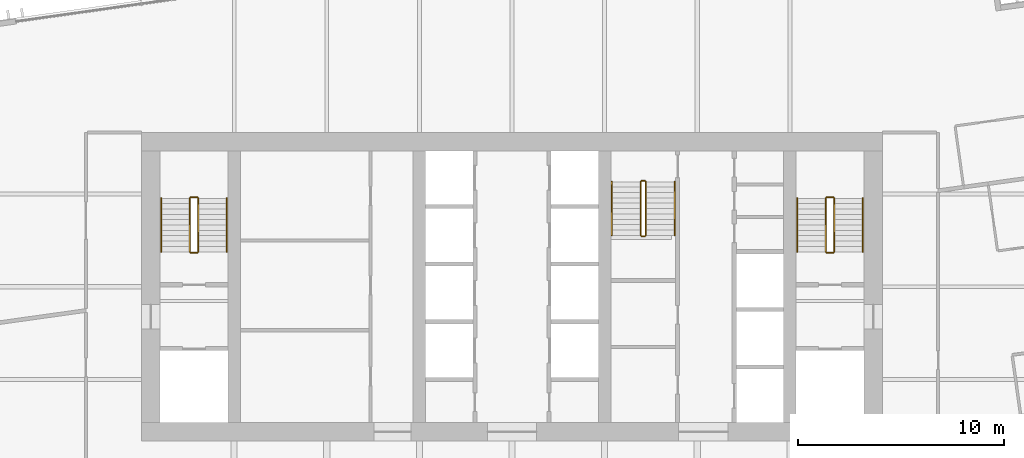
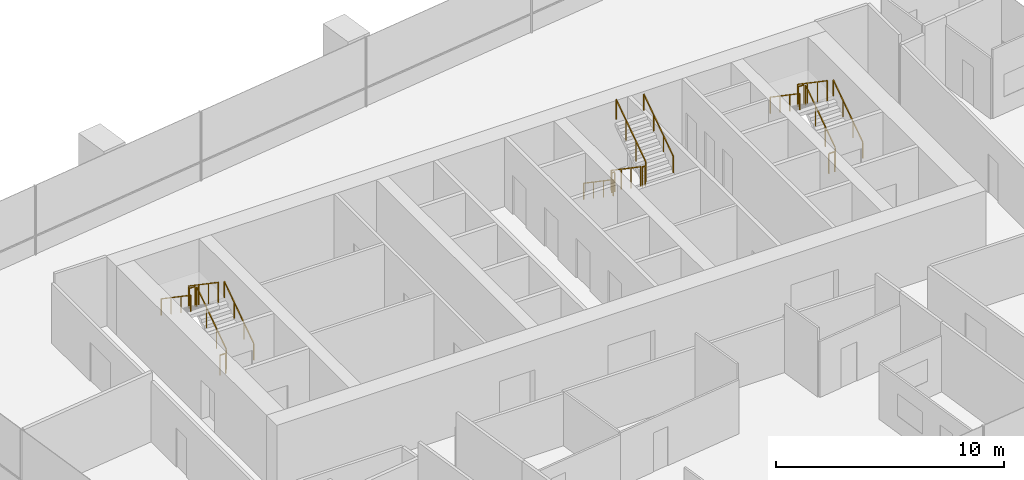
# One storey, part 14 of 14: 18 railings.
"""IFC4 building model written with IfcOpenShell, lengths in metres."""

from ifc_helpers import new_model, si_unit, direction, frame, origin, origin_2d, place, context, subcontext, project, spatial, rectangle, extrude, material, type_object, element, save


model = new_model("IFC4")

# Units and contexts
model_context = context("Model", 3, precision=1e-05, world=origin(), true_north=direction((0.0, 1.0)))
body_context = subcontext(model_context, "Body", "Model", "MODEL_VIEW")
ifc_project = project(units=[si_unit("LENGTHUNIT", "METRE"), si_unit("AREAUNIT", "SQUARE_METRE"), si_unit("VOLUMEUNIT", "CUBIC_METRE"), si_unit("PLANEANGLEUNIT", "RADIAN"), si_unit("MASSUNIT", "GRAM", prefix="KILO")], contexts=[model_context])

# Site, building, storey
site_placement = place(None, origin())
site = spatial("IfcSite", under=ifc_project, at=site_placement, CompositionType="ELEMENT")
building_placement = place(site_placement, origin())
building = spatial("IfcBuilding", under=site, at=building_placement, Name="Rattan Terrace Tower", CompositionType="ELEMENT")
storey_placement = place(building_placement, frame((0.0, 0.0, 184.10009765625)))
storey = spatial("IfcBuildingStorey", under=building, at=storey_placement, Name="L42", CompositionType="ELEMENT", Elevation=184.10009765625)

# Railings
ifc_material_1 = material(Name="Powder-coated steel guard", Category="steel")
railing_type_1 = type_object("IfcRailingType", Name="Core stair guard", PredefinedType="GUARDRAIL", material=ifc_material_1)
railing_1_placement = place(storey_placement, frame((-15.25, 1.699951171875, 0.17724609375)))
element("IfcRailing", 1, at=railing_1_placement, inside=storey, type_object=railing_type_1, Name="L42 S1 stair guard 1", PredefinedType="GUARDRAIL", context=body_context, shape_type="SweptSolid", body=[
    extrude(rectangle(XDim=0.048095703125, YDim=0.048095703125, at=origin_2d()), frame((0.0, 0.0, 1.076171875), z_axis=(0.0, 0.826240473404, 0.563317565952), x_axis=(-1.0, 0.0, 0.0)), (0.0, 0.0, 1.0), 3.14697265625),
    extrude(rectangle(XDim=0.0419921875, YDim=0.0419921875, at=origin_2d()), origin(), (0.0, 0.0, 1.0), 1.052001953125),
    extrude(rectangle(XDim=0.0419921875, YDim=0.0419921875, at=origin_2d()), frame((0.0, 0.86669921875, 0.5908203125)), (0.0, 0.0, 1.0), 1.052001953125),
    extrude(rectangle(XDim=0.0419921875, YDim=0.0419921875, at=origin_2d()), frame((0.0, 1.7333984375, 1.181884765625)), (0.0, 0.0, 1.0), 1.052001953125),
    extrude(rectangle(XDim=0.0419921875, YDim=0.0419921875, at=origin_2d()), frame((0.0, 2.60009765625, 1.772705078125)), (0.0, 0.0, 1.0), 1.052001953125),
])
railing_2_placement = place(storey_placement, frame((-15.300048828125, 4.35009765625, 1.949951171875)))
element("IfcRailing", 2, at=railing_2_placement, inside=storey, type_object=railing_type_1, Name="L42 S1 stair guard 2", PredefinedType="GUARDRAIL", context=body_context, shape_type="SweptSolid", body=[
    extrude(rectangle(XDim=0.048095703125, YDim=0.048095703125, at=origin_2d()), frame((0.0, 0.0, 1.076171875), z_axis=(-1.0, 0.0, 0.0), x_axis=(0.0, -1.0, 0.0)), (0.0, 0.0, 1.0), 0.300048828125),
    extrude(rectangle(XDim=0.0419921875, YDim=0.0419921875, at=origin_2d()), origin(), (0.0, 0.0, 1.0), 1.052001953125),
    extrude(rectangle(XDim=0.0419921875, YDim=0.0419921875, at=origin_2d()), frame((-0.300048828125, 0.0, 0.0)), (0.0, 0.0, 1.0), 1.052001953125),
])
railing_3_placement = place(storey_placement, frame((-15.64990234375, 4.300048828125, 2.127197265625)))
element("IfcRailing", 3, at=railing_3_placement, inside=storey, type_object=railing_type_1, Name="L42 S1 stair guard 3", PredefinedType="GUARDRAIL", context=body_context, shape_type="SweptSolid", body=[
    extrude(rectangle(XDim=0.048095703125, YDim=0.048095703125, at=origin_2d()), frame((0.0, 0.0, 1.076171875), z_axis=(0.0, -0.826240473404, 0.563317565952), x_axis=(1.0, 0.0, 0.0)), (0.0, 0.0, 1.0), 3.14697265625),
    extrude(rectangle(XDim=0.0419921875, YDim=0.0419921875, at=origin_2d()), origin(), (0.0, 0.0, 1.0), 1.052001953125),
    extrude(rectangle(XDim=0.0419921875, YDim=0.0419921875, at=origin_2d()), frame((0.0, -0.86669921875, 0.5908203125)), (0.0, 0.0, 1.0), 1.052001953125),
    extrude(rectangle(XDim=0.0419921875, YDim=0.0419921875, at=origin_2d()), frame((0.0, -1.7333984375, 1.181884765625)), (0.0, 0.0, 1.0), 1.052001953125),
    extrude(rectangle(XDim=0.0419921875, YDim=0.0419921875, at=origin_2d()), frame((0.0, -2.60009765625, 1.772705078125)), (0.0, 0.0, 1.0), 1.052001953125),
])
railing_4_placement = place(storey_placement, frame((-15.300048828125, 1.64990234375, 0.0)))
element("IfcRailing", 4, at=railing_4_placement, inside=storey, type_object=railing_type_1, Name="L42 S1 stair guard 4", PredefinedType="GUARDRAIL", context=body_context, shape_type="SweptSolid", body=[
    extrude(rectangle(XDim=0.048095703125, YDim=0.048095703125, at=origin_2d()), frame((0.0, 0.0, 1.076171875), z_axis=(-1.0, 0.0, 0.0), x_axis=(0.0, -1.0, 0.0)), (0.0, 0.0, 1.0), 0.300048828125),
    extrude(rectangle(XDim=0.0419921875, YDim=0.0419921875, at=origin_2d()), origin(), (0.0, 0.0, 1.0), 1.052001953125),
    extrude(rectangle(XDim=0.0419921875, YDim=0.0419921875, at=origin_2d()), frame((-0.300048828125, 0.0, 0.0)), (0.0, 0.0, 1.0), 1.052001953125),
])
railing_5_placement = place(storey_placement, frame((15.64990234375, 1.699951171875, 0.17724609375)))
element("IfcRailing", 5, at=railing_5_placement, inside=storey, type_object=railing_type_1, Name="L42 S2 stair guard 1", PredefinedType="GUARDRAIL", context=body_context, shape_type="SweptSolid", body=[
    extrude(rectangle(XDim=0.048095703125, YDim=0.048095703125, at=origin_2d()), frame((0.0, 0.0, 1.076171875), z_axis=(0.0, 0.826240473404, 0.563317565952), x_axis=(-1.0, 0.0, 0.0)), (0.0, 0.0, 1.0), 3.14697265625),
    extrude(rectangle(XDim=0.0419921875, YDim=0.0419921875, at=origin_2d()), origin(), (0.0, 0.0, 1.0), 1.052001953125),
    extrude(rectangle(XDim=0.0419921875, YDim=0.0419921875, at=origin_2d()), frame((0.0, 0.86669921875, 0.5908203125)), (0.0, 0.0, 1.0), 1.052001953125),
    extrude(rectangle(XDim=0.0419921875, YDim=0.0419921875, at=origin_2d()), frame((0.0, 1.7333984375, 1.181884765625)), (0.0, 0.0, 1.0), 1.052001953125),
    extrude(rectangle(XDim=0.0419921875, YDim=0.0419921875, at=origin_2d()), frame((0.0, 2.60009765625, 1.772705078125)), (0.0, 0.0, 1.0), 1.052001953125),
])
railing_6_placement = place(storey_placement, frame((15.60009765625, 4.35009765625, 1.949951171875)))
element("IfcRailing", 6, at=railing_6_placement, inside=storey, type_object=railing_type_1, Name="L42 S2 stair guard 2", PredefinedType="GUARDRAIL", context=body_context, shape_type="SweptSolid", body=[
    extrude(rectangle(XDim=0.048095703125, YDim=0.048095703125, at=origin_2d()), frame((0.0, 0.0, 1.076171875), z_axis=(-1.0, 0.0, 0.0), x_axis=(0.0, -1.0, 0.0)), (0.0, 0.0, 1.0), 0.300048828125),
    extrude(rectangle(XDim=0.0419921875, YDim=0.0419921875, at=origin_2d()), origin(), (0.0, 0.0, 1.0), 1.052001953125),
    extrude(rectangle(XDim=0.0419921875, YDim=0.0419921875, at=origin_2d()), frame((-0.300048828125, 0.0, 0.0)), (0.0, 0.0, 1.0), 1.052001953125),
])
railing_7_placement = place(storey_placement, frame((15.25, 4.300048828125, 2.127197265625)))
element("IfcRailing", 7, at=railing_7_placement, inside=storey, type_object=railing_type_1, Name="L42 S2 stair guard 3", PredefinedType="GUARDRAIL", context=body_context, shape_type="SweptSolid", body=[
    extrude(rectangle(XDim=0.048095703125, YDim=0.048095703125, at=origin_2d()), frame((0.0, 0.0, 1.076171875), z_axis=(0.0, -0.826240473404, 0.563317565952), x_axis=(1.0, 0.0, 0.0)), (0.0, 0.0, 1.0), 3.14697265625),
    extrude(rectangle(XDim=0.0419921875, YDim=0.0419921875, at=origin_2d()), origin(), (0.0, 0.0, 1.0), 1.052001953125),
    extrude(rectangle(XDim=0.0419921875, YDim=0.0419921875, at=origin_2d()), frame((0.0, -0.86669921875, 0.5908203125)), (0.0, 0.0, 1.0), 1.052001953125),
    extrude(rectangle(XDim=0.0419921875, YDim=0.0419921875, at=origin_2d()), frame((0.0, -1.7333984375, 1.181884765625)), (0.0, 0.0, 1.0), 1.052001953125),
    extrude(rectangle(XDim=0.0419921875, YDim=0.0419921875, at=origin_2d()), frame((0.0, -2.60009765625, 1.772705078125)), (0.0, 0.0, 1.0), 1.052001953125),
])
railing_8_placement = place(storey_placement, frame((15.60009765625, 1.64990234375, 0.0)))
element("IfcRailing", 8, at=railing_8_placement, inside=storey, type_object=railing_type_1, Name="L42 S2 stair guard 4", PredefinedType="GUARDRAIL", context=body_context, shape_type="SweptSolid", body=[
    extrude(rectangle(XDim=0.048095703125, YDim=0.048095703125, at=origin_2d()), frame((0.0, 0.0, 1.076171875), z_axis=(-1.0, 0.0, 0.0), x_axis=(0.0, -1.0, 0.0)), (0.0, 0.0, 1.0), 0.300048828125),
    extrude(rectangle(XDim=0.0419921875, YDim=0.0419921875, at=origin_2d()), origin(), (0.0, 0.0, 1.0), 1.052001953125),
    extrude(rectangle(XDim=0.0419921875, YDim=0.0419921875, at=origin_2d()), frame((-0.300048828125, 0.0, 0.0)), (0.0, 0.0, 1.0), 1.052001953125),
])
railing_9_placement = place(storey_placement, frame((6.25, 5.10009765625, 0.17724609375)))
element("IfcRailing", 9, at=railing_9_placement, inside=storey, type_object=railing_type_1, Name="L42 S3 stair guard 1", PredefinedType="GUARDRAIL", context=body_context, shape_type="SweptSolid", body=[
    extrude(rectangle(XDim=0.048095703125, YDim=0.048095703125, at=origin_2d()), frame((0.0, 0.0, 1.076171875), z_axis=(0.0, -0.826240473404, 0.563317565952), x_axis=(1.0, 0.0, 0.0)), (0.0, 0.0, 1.0), 3.14697265625),
    extrude(rectangle(XDim=0.0419921875, YDim=0.0419921875, at=origin_2d()), origin(), (0.0, 0.0, 1.0), 1.052001953125),
    extrude(rectangle(XDim=0.0419921875, YDim=0.0419921875, at=origin_2d()), frame((0.0, -0.86669921875, 0.5908203125)), (0.0, 0.0, 1.0), 1.052001953125),
    extrude(rectangle(XDim=0.0419921875, YDim=0.0419921875, at=origin_2d()), frame((0.0, -1.7333984375, 1.181884765625)), (0.0, 0.0, 1.0), 1.052001953125),
    extrude(rectangle(XDim=0.0419921875, YDim=0.0419921875, at=origin_2d()), frame((0.0, -2.60009765625, 1.772705078125)), (0.0, 0.0, 1.0), 1.052001953125),
])
railing_10_placement = place(storey_placement, frame((6.300048828125, 2.449951171875, 1.949951171875)))
element("IfcRailing", 10, at=railing_10_placement, inside=storey, type_object=railing_type_1, Name="L42 S3 stair guard 2", PredefinedType="GUARDRAIL", context=body_context, shape_type="SweptSolid", body=[
    extrude(rectangle(XDim=0.048095703125, YDim=0.048095703125, at=origin_2d()), frame((0.0, 0.0, 1.076171875), z_axis=(1.0, 0.0, 0.0), x_axis=(0.0, 1.0, 0.0)), (0.0, 0.0, 1.0), 0.14990234375),
    extrude(rectangle(XDim=0.0419921875, YDim=0.0419921875, at=origin_2d()), origin(), (0.0, 0.0, 1.0), 1.052001953125),
    extrude(rectangle(XDim=0.0419921875, YDim=0.0419921875, at=origin_2d()), frame((0.14990234375, 0.0, 0.0)), (0.0, 0.0, 1.0), 1.052001953125),
])
railing_11_placement = place(storey_placement, frame((6.5, 2.5, 2.127197265625)))
element("IfcRailing", 11, at=railing_11_placement, inside=storey, type_object=railing_type_1, Name="L42 S3 stair guard 3", PredefinedType="GUARDRAIL", context=body_context, shape_type="SweptSolid", body=[
    extrude(rectangle(XDim=0.048095703125, YDim=0.048095703125, at=origin_2d()), frame((0.0, 0.0, 1.076171875), z_axis=(0.0, 0.826240473404, 0.563317565952), x_axis=(-1.0, 0.0, 0.0)), (0.0, 0.0, 1.0), 3.14697265625),
    extrude(rectangle(XDim=0.0419921875, YDim=0.0419921875, at=origin_2d()), origin(), (0.0, 0.0, 1.0), 1.052001953125),
    extrude(rectangle(XDim=0.0419921875, YDim=0.0419921875, at=origin_2d()), frame((0.0, 0.86669921875, 0.5908203125)), (0.0, 0.0, 1.0), 1.052001953125),
    extrude(rectangle(XDim=0.0419921875, YDim=0.0419921875, at=origin_2d()), frame((0.0, 1.7333984375, 1.181884765625)), (0.0, 0.0, 1.0), 1.052001953125),
    extrude(rectangle(XDim=0.0419921875, YDim=0.0419921875, at=origin_2d()), frame((0.0, 2.60009765625, 1.772705078125)), (0.0, 0.0, 1.0), 1.052001953125),
])
railing_12_placement = place(storey_placement, frame((6.300048828125, 5.14990234375, 0.0)))
element("IfcRailing", 12, at=railing_12_placement, inside=storey, type_object=railing_type_1, Name="L42 S3 stair guard 4", PredefinedType="GUARDRAIL", context=body_context, shape_type="SweptSolid", body=[
    extrude(rectangle(XDim=0.048095703125, YDim=0.048095703125, at=origin_2d()), frame((0.0, 0.0, 1.076171875), z_axis=(1.0, 0.0, 0.0), x_axis=(0.0, 1.0, 0.0)), (0.0, 0.0, 1.0), 0.14990234375),
    extrude(rectangle(XDim=0.0419921875, YDim=0.0419921875, at=origin_2d()), origin(), (0.0, 0.0, 1.0), 1.052001953125),
    extrude(rectangle(XDim=0.0419921875, YDim=0.0419921875, at=origin_2d()), frame((0.14990234375, 0.0, 0.0)), (0.0, 0.0, 1.0), 1.052001953125),
])
ifc_material_2 = material(Name="Powder-coated steel handrail", Category="steel")
railing_type_2 = type_object("IfcRailingType", Name="Core stair handrail", PredefinedType="HANDRAIL", material=ifc_material_2)
railing_13_placement = place(storey_placement, frame((-13.85009765625, 1.699951171875, 0.17724609375)))
element("IfcRailing", 13, at=railing_13_placement, inside=storey, type_object=railing_type_2, Name="L42 S1 stair handrail 1", PredefinedType="HANDRAIL", context=body_context, shape_type="SweptSolid", body=[
    extrude(rectangle(XDim=0.048095703125, YDim=0.048095703125, at=origin_2d()), frame((0.0, 0.0, 0.8759765625), z_axis=(0.0, 0.826240473404, 0.563317565952), x_axis=(-1.0, 0.0, 0.0)), (0.0, 0.0, 1.0), 3.14697265625),
    extrude(rectangle(XDim=0.0419921875, YDim=0.0419921875, at=origin_2d()), origin(), (0.0, 0.0, 1.0), 0.851806640625),
    extrude(rectangle(XDim=0.0419921875, YDim=0.0419921875, at=origin_2d()), frame((0.0, 0.86669921875, 0.5908203125)), (0.0, 0.0, 1.0), 0.851806640625),
    extrude(rectangle(XDim=0.0419921875, YDim=0.0419921875, at=origin_2d()), frame((0.0, 1.7333984375, 1.181884765625)), (0.0, 0.0, 1.0), 0.851806640625),
    extrude(rectangle(XDim=0.0419921875, YDim=0.0419921875, at=origin_2d()), frame((0.0, 2.60009765625, 1.772705078125)), (0.0, 0.0, 1.0), 0.851806640625),
])
railing_14_placement = place(storey_placement, frame((-17.050048828125, 4.300048828125, 2.127197265625)))
element("IfcRailing", 14, at=railing_14_placement, inside=storey, type_object=railing_type_2, Name="L42 S1 stair handrail 2", PredefinedType="HANDRAIL", context=body_context, shape_type="SweptSolid", body=[
    extrude(rectangle(XDim=0.048095703125, YDim=0.048095703125, at=origin_2d()), frame((0.0, 0.0, 0.8759765625), z_axis=(0.0, -0.826240473404, 0.563317565952), x_axis=(1.0, 0.0, 0.0)), (0.0, 0.0, 1.0), 3.14697265625),
    extrude(rectangle(XDim=0.0419921875, YDim=0.0419921875, at=origin_2d()), origin(), (0.0, 0.0, 1.0), 0.851806640625),
    extrude(rectangle(XDim=0.0419921875, YDim=0.0419921875, at=origin_2d()), frame((0.0, -0.86669921875, 0.5908203125)), (0.0, 0.0, 1.0), 0.851806640625),
    extrude(rectangle(XDim=0.0419921875, YDim=0.0419921875, at=origin_2d()), frame((0.0, -1.7333984375, 1.181884765625)), (0.0, 0.0, 1.0), 0.851806640625),
    extrude(rectangle(XDim=0.0419921875, YDim=0.0419921875, at=origin_2d()), frame((0.0, -2.60009765625, 1.772705078125)), (0.0, 0.0, 1.0), 0.851806640625),
])
railing_15_placement = place(storey_placement, frame((17.050048828125, 1.699951171875, 0.17724609375)))
element("IfcRailing", 15, at=railing_15_placement, inside=storey, type_object=railing_type_2, Name="L42 S2 stair handrail 1", PredefinedType="HANDRAIL", context=body_context, shape_type="SweptSolid", body=[
    extrude(rectangle(XDim=0.048095703125, YDim=0.048095703125, at=origin_2d()), frame((0.0, 0.0, 0.8759765625), z_axis=(0.0, 0.826240473404, 0.563317565952), x_axis=(-1.0, 0.0, 0.0)), (0.0, 0.0, 1.0), 3.14697265625),
    extrude(rectangle(XDim=0.0419921875, YDim=0.0419921875, at=origin_2d()), origin(), (0.0, 0.0, 1.0), 0.851806640625),
    extrude(rectangle(XDim=0.0419921875, YDim=0.0419921875, at=origin_2d()), frame((0.0, 0.86669921875, 0.5908203125)), (0.0, 0.0, 1.0), 0.851806640625),
    extrude(rectangle(XDim=0.0419921875, YDim=0.0419921875, at=origin_2d()), frame((0.0, 1.7333984375, 1.181884765625)), (0.0, 0.0, 1.0), 0.851806640625),
    extrude(rectangle(XDim=0.0419921875, YDim=0.0419921875, at=origin_2d()), frame((0.0, 2.60009765625, 1.772705078125)), (0.0, 0.0, 1.0), 0.851806640625),
])
for number, where, name in (
    (16, (13.85009765625, 4.300048828125, 2.127197265625), "L42 S2 stair handrail 2"),
    (17, (4.85009765625, 5.10009765625, 0.17724609375), "L42 S3 stair handrail 1"),
):
    element("IfcRailing", number, at=place(storey_placement, frame(where)), inside=storey, type_object=railing_type_2, Name=name, PredefinedType="HANDRAIL", context=body_context, shape_type="SweptSolid", body=[
        extrude(rectangle(XDim=0.048095703125, YDim=0.048095703125, at=origin_2d()), frame((0.0, 0.0, 0.8759765625), z_axis=(0.0, -0.826240473404, 0.563317565952), x_axis=(1.0, 0.0, 0.0)), (0.0, 0.0, 1.0), 3.14697265625),
        extrude(rectangle(XDim=0.0419921875, YDim=0.0419921875, at=origin_2d()), origin(), (0.0, 0.0, 1.0), 0.851806640625),
        extrude(rectangle(XDim=0.0419921875, YDim=0.0419921875, at=origin_2d()), frame((0.0, -0.86669921875, 0.5908203125)), (0.0, 0.0, 1.0), 0.851806640625),
        extrude(rectangle(XDim=0.0419921875, YDim=0.0419921875, at=origin_2d()), frame((0.0, -1.7333984375, 1.181884765625)), (0.0, 0.0, 1.0), 0.851806640625),
        extrude(rectangle(XDim=0.0419921875, YDim=0.0419921875, at=origin_2d()), frame((0.0, -2.60009765625, 1.772705078125)), (0.0, 0.0, 1.0), 0.851806640625),
    ])
railing_16_placement = place(storey_placement, frame((7.89990234375, 2.5, 2.127197265625)))
element("IfcRailing", 18, at=railing_16_placement, inside=storey, type_object=railing_type_2, Name="L42 S3 stair handrail 2", PredefinedType="HANDRAIL", context=body_context, shape_type="SweptSolid", body=[
    extrude(rectangle(XDim=0.048095703125, YDim=0.048095703125, at=origin_2d()), frame((0.0, 0.0, 0.8759765625), z_axis=(0.0, 0.826240473404, 0.563317565952), x_axis=(-1.0, 0.0, 0.0)), (0.0, 0.0, 1.0), 3.14697265625),
    extrude(rectangle(XDim=0.0419921875, YDim=0.0419921875, at=origin_2d()), origin(), (0.0, 0.0, 1.0), 0.851806640625),
    extrude(rectangle(XDim=0.0419921875, YDim=0.0419921875, at=origin_2d()), frame((0.0, 0.86669921875, 0.5908203125)), (0.0, 0.0, 1.0), 0.851806640625),
    extrude(rectangle(XDim=0.0419921875, YDim=0.0419921875, at=origin_2d()), frame((0.0, 1.7333984375, 1.181884765625)), (0.0, 0.0, 1.0), 0.851806640625),
    extrude(rectangle(XDim=0.0419921875, YDim=0.0419921875, at=origin_2d()), frame((0.0, 2.60009765625, 1.772705078125)), (0.0, 0.0, 1.0), 0.851806640625),
])

save(model, "model.ifc")
